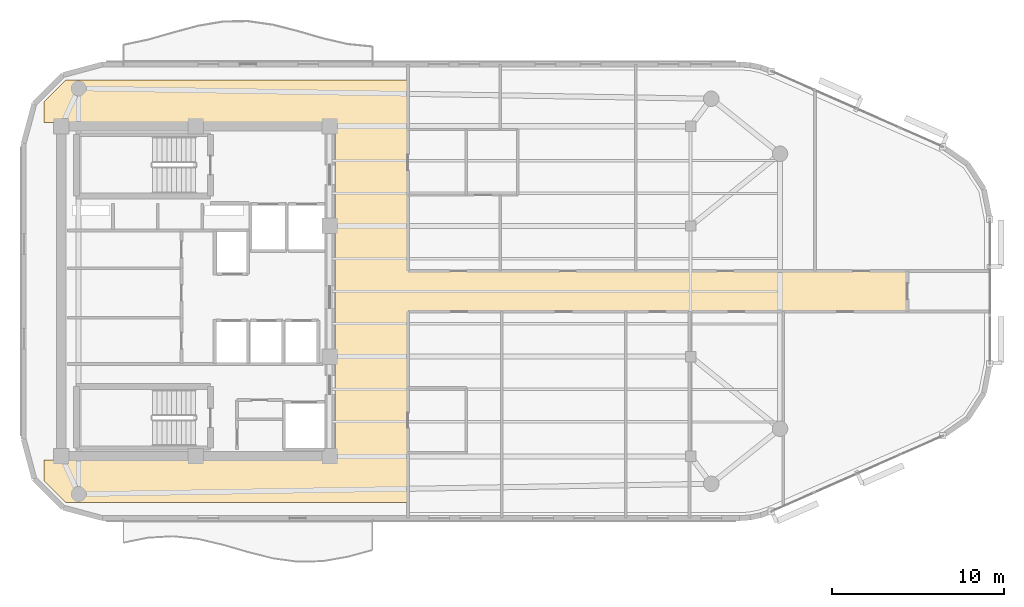
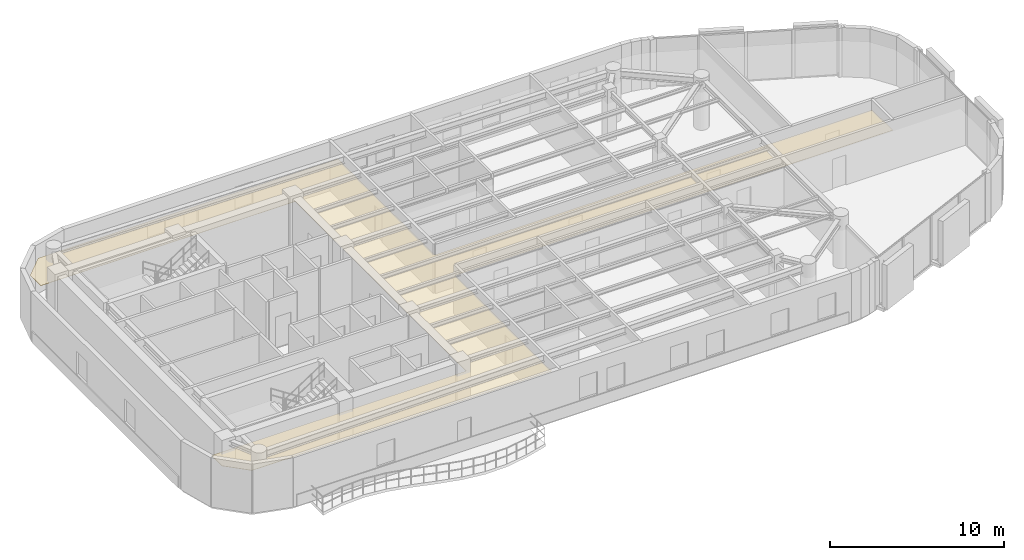
# One storey, part 12 of 14: 1 covering.
"""IFC4 building model written with IfcOpenShell, lengths in metres."""

from ifc_helpers import new_model, si_unit, direction, frame, origin, place, context, subcontext, project, spatial, polyline, outline, extrude, material, layer, layer_set, type_object, element, save


model = new_model("IFC4")

# Units and contexts
model_context = context("Model", 3, precision=1e-05, world=origin(), true_north=direction((0.0, 1.0)))
body_context = subcontext(model_context, "Body", "Model", "MODEL_VIEW")
ifc_project = project(units=[si_unit("LENGTHUNIT", "METRE"), si_unit("AREAUNIT", "SQUARE_METRE"), si_unit("VOLUMEUNIT", "CUBIC_METRE"), si_unit("PLANEANGLEUNIT", "RADIAN"), si_unit("MASSUNIT", "GRAM", prefix="KILO")], contexts=[model_context])

# Site, building, storey
site_placement = place(None, origin())
site = spatial("IfcSite", under=ifc_project, at=site_placement, CompositionType="ELEMENT")
building_placement = place(site_placement, origin())
building = spatial("IfcBuilding", under=site, at=building_placement, Name="An Khanh Terracotta Commons", CompositionType="ELEMENT")
storey_placement = place(building_placement, frame((0.0, 0.0, 284.35009765625)))
storey = spatial("IfcBuildingStorey", under=building, at=storey_placement, Name="L74", CompositionType="ELEMENT", Elevation=284.35009765625)

# Covering
ifc_material = material(Name="Perforated Mineral-Fibre Acoustic Tile")
ifc_layer = layer(ifc_material, 0.02001953125, Name="Perforated Mineral-Fibre Acoustic Tile")
ifc_layer_set = layer_set([ifc_layer], Name="Perforated Mineral-Fibre Acoustic Tile")
covering_type = type_object("IfcCoveringType", Name="CEIL-ACOUSTIC-18", PredefinedType="CEILING", material=ifc_layer_set)
covering_placement = place(storey_placement, frame((0.0, 0.0, 2.64990234375)))
element("IfcCovering", 1, at=covering_placement, inside=storey, type_object=covering_type, Name="L74 Corridor Ceiling", PredefinedType="CEILING", context=body_context, shape_type="SweptSolid", body=[
    extrude(outline(polyline([(21.84912109375, 11.719970703125), (20.60009765625, 12.968994140625), (20.60009765625, 14.179931640625), (37.5, 14.179931640625), (37.5, 33.820068359375), (20.60009765625, 33.820068359375), (20.60009765625, 35.031005859375), (21.84912109375, 36.280029296875), (37.5, 36.280029296875), (41.75, 36.280029296875), (41.75, 33.820068359375), (41.75, 25.179931640625), (70.800048828125, 25.179931640625), (70.800048828125, 22.820068359375), (41.75, 22.820068359375), (41.75, 14.179931640625), (41.75, 11.719970703125), (37.5, 11.719970703125), (21.84912109375, 11.719970703125)])), origin(), (0.0, 0.0, 1.0), 0.02001953125),
])

save(model, "model.ifc")
